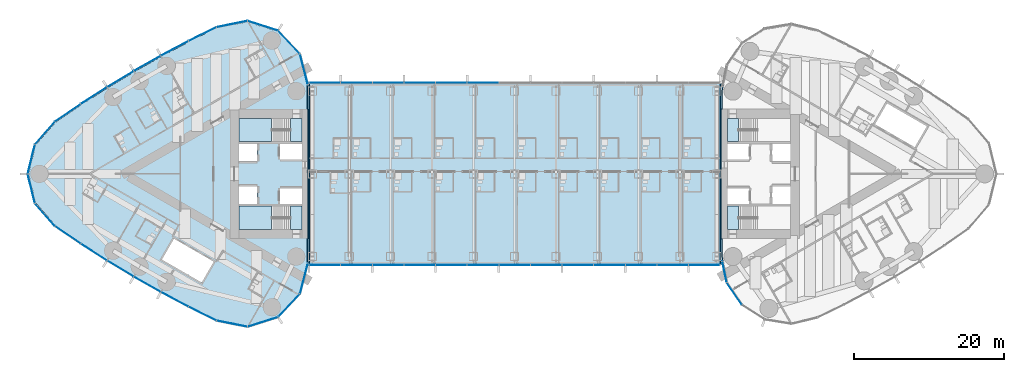
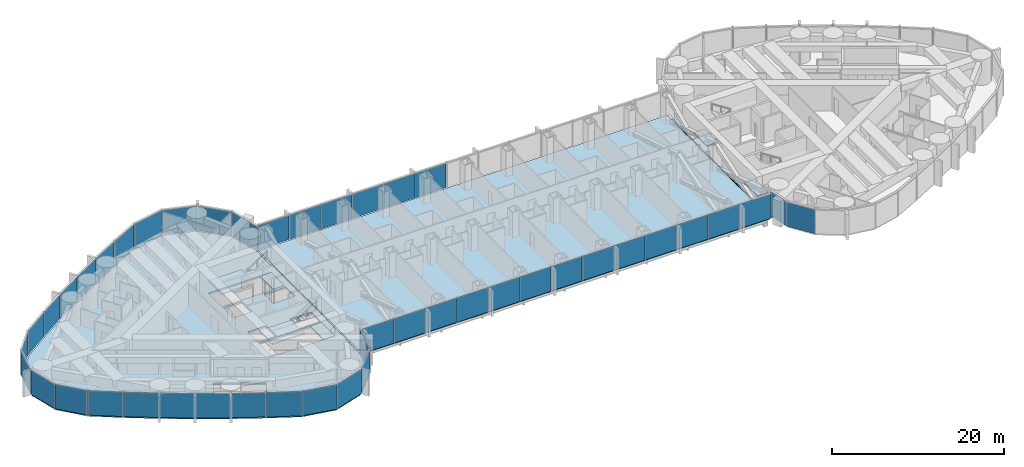
# One storey, part 12 of 23: 47 plates, 8 slabs, 8 elements without a shape of their own.
"""IFC4 building model written with IfcOpenShell, lengths in metres."""

import ifcopenshell
import ifcopenshell.guid

model = None  # the IFC model being written
_history = None  # IfcOwnerHistory: only IFC2X3 demands one
_inside = {}  # id of a spatial element -> (the spatial element, [elements in it])
_under = {}  # id of a project, library or spatial element -> (it, [spatial elements below it])
_declared = {}  # id of a project -> (the project, [libraries it declares])
_typed = {}  # id of a type object -> (the type object, [elements of that type])
_made_of = {}  # id of a material, layer set ... -> (it, [elements and type objects made of it])


def new_model(schema):
    """Start an empty IFC model of exactly this schema.

    Asked for "IFC4X3", IfcOpenShell would pick the latest addendum, in which some entities
    have other attributes; the version numbers below select the first issue.
    IFC2X3 requires an IfcOwnerHistory on every rooted entity: one is made here for all.
    """
    global model, _history
    if schema == "IFC4X3":
        model = ifcopenshell.file(schema_version=(4, 3, 0, 0))
    else:
        model = ifcopenshell.file(schema=schema)
    _inside.clear()
    _under.clear()
    _declared.clear()
    _typed.clear()
    _made_of.clear()
    _history = None
    if model.schema == "IFC2X3":
        org = make("IfcOrganization", Name="unknown")
        user = make(
            "IfcPersonAndOrganization",
            ThePerson=make("IfcPerson", FamilyName="unknown"),
            TheOrganization=org,
        )
        app = make(
            "IfcApplication",
            ApplicationDeveloper=org,
            Version="unknown",
            ApplicationFullName="unknown",
            ApplicationIdentifier="unknown",
        )
        _history = make(
            "IfcOwnerHistory",
            OwningUser=user,
            OwningApplication=app,
            ChangeAction="ADDED",
            CreationDate=0,
        )
    return model


def make(cls, **values):
    """One entity of the class cls with the attributes given. An attribute that is None is left unset."""
    return model.create_entity(
        cls, **{name: value for name, value in values.items() if value is not None}
    )


def rooted(cls, **values):
    """An entity with a GlobalId (a new one), such as an element, a storey or a relation."""
    return make(cls, GlobalId=ifcopenshell.guid.new(), OwnerHistory=_history, **values)


def si_unit(unit_type, name, prefix=None):
    """IfcSIUnit, for example si_unit("LENGTHUNIT", "METRE", prefix="MILLI")."""
    return make("IfcSIUnit", UnitType=unit_type, Prefix=prefix, Name=name)


def assignment(units):
    """IfcUnitAssignment: the units of a project."""
    return None if units is None else make("IfcUnitAssignment", Units=units)


def point(xyz):
    """IfcCartesianPoint."""
    return None if xyz is None else make("IfcCartesianPoint", Coordinates=xyz)


def direction(xyz):
    """IfcDirection."""
    return None if xyz is None else make("IfcDirection", DirectionRatios=xyz)


def frame(location, z_axis=None, x_axis=None):
    """IfcAxis2Placement3D, a coordinate frame: its origin and axes. An axis left out is left unset."""
    return make(
        "IfcAxis2Placement3D",
        Location=point(location),
        Axis=direction(z_axis),
        RefDirection=direction(x_axis),
    )


def frame_2d(location, x_axis=None):
    """IfcAxis2Placement2D, a coordinate frame in the plane: its origin and x axis."""
    return make(
        "IfcAxis2Placement2D", Location=point(location), RefDirection=direction(x_axis)
    )


def origin():
    """The frame at (0, 0, 0) with its axes left unset."""
    return frame((0.0, 0.0, 0.0))


def origin_2d():
    """The frame at (0, 0) in the plane with its x axis left unset."""
    return frame_2d((0.0, 0.0))


def place(relative_to, where):
    """IfcLocalPlacement: puts the frame where relative to a parent placement (None: the world)."""
    return make(
        "IfcLocalPlacement", PlacementRelTo=relative_to, RelativePlacement=where
    )


def context(
    kind, dimensions, precision=None, world=None, true_north=None, identifier=None
):
    """IfcGeometricRepresentationContext, for example the 3D "Model" context."""
    return make(
        "IfcGeometricRepresentationContext",
        ContextIdentifier=identifier,
        ContextType=kind,
        CoordinateSpaceDimension=dimensions,
        Precision=precision,
        WorldCoordinateSystem=world,
        TrueNorth=true_north,
    )


def subcontext(parent, identifier, kind, view, scale=None):
    """IfcGeometricRepresentationSubContext, for example "Body" below "Model"."""
    return make(
        "IfcGeometricRepresentationSubContext",
        ContextIdentifier=identifier,
        ContextType=kind,
        ParentContext=parent,
        TargetScale=scale,
        TargetView=view,
    )


def project(units=None, contexts=None):
    """IfcProject with its units and contexts."""
    return rooted(
        "IfcProject",
        Name="project",
        RepresentationContexts=contexts,
        UnitsInContext=assignment(units),
    )


def spatial(cls, under=None, at=None, **own):
    """A site, building, storey or space (cls), placed at a placement, below another one or the project."""
    s = rooted(cls, ObjectPlacement=at, **own)
    if under is not None:
        _under.setdefault(under.id(), (under, []))[1].append(s)
    return s


def polyline(points):
    """IfcPolyline through the points."""
    return make("IfcPolyline", Points=[point(p) for p in points])


def profile(cls, at=None, kind="AREA", **sizes):
    """A parametric profile (cls). Its sizes go by their IFC names, for example OverallWidth=200.0."""
    return make(cls, ProfileType=kind, Position=at, **sizes)


def rectangle(**sizes):
    """IfcRectangleProfileDef."""
    return profile("IfcRectangleProfileDef", **sizes)


def outline(outer, holes=None, kind="AREA"):
    """IfcArbitraryClosedProfileDef: a profile drawn as a closed curve; with holes, ...WithVoids."""
    if holes is None:
        return make("IfcArbitraryClosedProfileDef", ProfileType=kind, OuterCurve=outer)
    return make(
        "IfcArbitraryProfileDefWithVoids",
        ProfileType=kind,
        OuterCurve=outer,
        InnerCurves=holes,
    )


def extrude(swept, where, along, depth):
    """IfcExtrudedAreaSolid: the profile swept, set in the frame where, extruded along a direction by depth."""
    return make(
        "IfcExtrudedAreaSolid",
        SweptArea=swept,
        Position=where,
        ExtrudedDirection=direction(along),
        Depth=depth,
    )


def shape(context_of_items, identifier, shape_type, items):
    """IfcShapeRepresentation: the items that make up one representation, for example the "Body"."""
    return make(
        "IfcShapeRepresentation",
        ContextOfItems=context_of_items,
        RepresentationIdentifier=identifier,
        RepresentationType=shape_type,
        Items=items,
    )


def material(Name=None, Category=None):
    """IfcMaterial."""
    return make("IfcMaterial", Name=Name, Category=Category)


def layer(
    of_material, thickness, ventilated=None, Name=None, Category=None, Priority=None
):
    """IfcMaterialLayer: one layer of a wall or slab, of a material (None: an air gap)."""
    return make(
        "IfcMaterialLayer",
        Material=of_material,
        LayerThickness=thickness,
        IsVentilated=ventilated,
        Name=Name,
        Category=Category,
        Priority=Priority,
    )


def layer_set(layers, Name=None):
    """IfcMaterialLayerSet."""
    return make("IfcMaterialLayerSet", MaterialLayers=layers, LayerSetName=Name)


def made_of(thing, what):
    """Note that an element or type object is made of a material, layer set ...; save() writes the relation."""
    if what is not None:
        _made_of.setdefault(what.id(), (what, []))[1].append(thing)
    return thing


def type_object(cls, material=None, **own):
    """A type object (cls), such as IfcWallType, which elements share."""
    return made_of(rooted(cls, **own), material)


def element(
    cls,
    number,
    at=None,
    inside=None,
    cuts=None,
    type_object=None,
    material=None,
    context=None,
    identifier="Body",
    shape_type=None,
    held_by="IfcProductDefinitionShape",
    body=None,
    shapes=None,
    **own,
):
    """One element of the class cls, such as IfcWall. Its Tag is "e" and its number.

    at: its placement. inside: the storey or other place that contains it. cuts: it is an
    opening in that element (IfcRelVoidsElement). A single representation is given by context,
    identifier, shape_type and body (its items); several are given by shapes. held_by: the class
    of the entity that holds the representations. save() writes the other relations.
    """
    e = rooted(cls, Tag="e%d" % number, ObjectPlacement=at, **own)
    if body is not None:
        shapes = [shape(context, identifier, shape_type, body)]
    if shapes is not None:
        e.Representation = make(held_by, Representations=shapes)
    if inside is not None:
        _inside.setdefault(inside.id(), (inside, []))[1].append(e)
    if cuts is not None:
        rooted(
            "IfcRelVoidsElement", RelatingBuildingElement=cuts, RelatedOpeningElement=e
        )
    if type_object is not None:
        _typed.setdefault(type_object.id(), (type_object, []))[1].append(e)
    return made_of(e, material)


def aggregate(whole, parts):
    """IfcRelAggregates: a whole, such as a stair, and the parts it consists of."""
    return rooted("IfcRelAggregates", RelatingObject=whole, RelatedObjects=parts)


def save(model, path):
    """Write the relations noted so far, then the file.

    IfcRelAggregates (storeys below a building ...), IfcRelContainedInSpatialStructure (elements
    in a storey), IfcRelDefinesByType, IfcRelAssociatesMaterial and IfcRelDeclares: one each for
    every whole, place, type object, material and project.
    """
    for whole, parts in _under.values():
        aggregate(whole, parts)
    for where, things in _inside.values():
        rooted(
            "IfcRelContainedInSpatialStructure",
            RelatedElements=things,
            RelatingStructure=where,
        )
    for kind, things in _typed.values():
        rooted("IfcRelDefinesByType", RelatedObjects=things, RelatingType=kind)
    for what, things in _made_of.values():
        rooted("IfcRelAssociatesMaterial", RelatedObjects=things, RelatingMaterial=what)
    for by, libraries in _declared.values():
        rooted("IfcRelDeclares", RelatingContext=by, RelatedDefinitions=libraries)
    model.write(path)


model = new_model("IFC4")

# Units and contexts
model_context = context("Model", 3, precision=1e-05, world=origin(), true_north=direction((0.0, 1.0)))
body_context = subcontext(model_context, "Body", "Model", "MODEL_VIEW")
ifc_project = project(units=[si_unit("LENGTHUNIT", "METRE"), si_unit("AREAUNIT", "SQUARE_METRE"), si_unit("VOLUMEUNIT", "CUBIC_METRE"), si_unit("PLANEANGLEUNIT", "RADIAN"), si_unit("MASSUNIT", "GRAM", prefix="KILO")], contexts=[model_context])

# Site, building, storey
site_placement = place(None, origin())
site = spatial("IfcSite", under=ifc_project, at=site_placement, CompositionType="ELEMENT")
building_placement = place(site_placement, origin())
building = spatial("IfcBuilding", under=site, at=building_placement, Name="Lancet Gate Hotel", CompositionType="ELEMENT")
storey_placement = place(building_placement, frame((0.0, 0.0, 215.300048828125)))
storey = spatial("IfcBuildingStorey", under=building, at=storey_placement, Name="L57", CompositionType="ELEMENT", Elevation=215.300048828125)

# Curtain wall, plates
ifc_material_1 = material(Name="Aluminium curtain wall", Category="aluminium")
curtain_wall_type_1 = type_object("IfcCurtainWallType", Name="Bridge block curtain wall", PredefinedType="USERDEFINED", material=ifc_material_1)
curtain_wall_1_placement = place(storey_placement, origin())
curtain_wall_1 = element("IfcCurtainWall", 1, at=curtain_wall_1_placement, inside=storey, type_object=curtain_wall_type_1, Name="Bridge block L57 curtain wall S", ObjectType="UNITISED CURTAIN WALL", PredefinedType="USERDEFINED")
ifc_material_2 = material(Name="Glass double glazed unit 8-16-6", Category="glass")
ifc_layer_1 = layer(ifc_material_2, 0.030029296875)
ifc_layer_set_1 = layer_set([ifc_layer_1], Name="Block vision panel")
plate_type_1 = type_object("IfcPlateType", Name="Block vision panel", PredefinedType="CURTAIN_PANEL", material=ifc_layer_set_1)
plate_1_placement = place(storey_placement, frame((-25.24609375, -12.1201171875, 0.0), z_axis=(0.0, 0.0, 1.0), x_axis=(1.0, 0.0, 0.0)))
plate_1 = element("IfcPlate", 2, at=plate_1_placement, type_object=plate_type_1, Name="Bridge block L57 curtain wall S panel 1", PredefinedType="CURTAIN_PANEL", context=body_context, shape_type="SweptSolid", body=[
    extrude(rectangle(XDim=4.142578125, YDim=0.030029296875, at=origin_2d()), origin(), (0.0, 0.0, 1.0), 3.449951171875),
])
plate_2_placement = place(storey_placement, frame((-21.03857421875, -12.1201171875, 0.0), z_axis=(0.0, 0.0, 1.0), x_axis=(1.0, 0.0, 0.0)))
plate_2 = element("IfcPlate", 3, at=plate_2_placement, type_object=plate_type_1, Name="Bridge block L57 curtain wall S panel 2", PredefinedType="CURTAIN_PANEL", context=body_context, shape_type="SweptSolid", body=[
    extrude(rectangle(XDim=4.142578125, YDim=0.030029296875, at=origin_2d()), origin(), (0.0, 0.0, 1.0), 3.449951171875),
])
plate_3_placement = place(storey_placement, frame((-16.830810546875, -12.1201171875, 0.0), z_axis=(0.0, 0.0, 1.0), x_axis=(1.0, 0.0, 0.0)))
plate_3 = element("IfcPlate", 4, at=plate_3_placement, type_object=plate_type_1, Name="Bridge block L57 curtain wall S panel 3", PredefinedType="CURTAIN_PANEL", context=body_context, shape_type="SweptSolid", body=[
    extrude(rectangle(XDim=4.142578125, YDim=0.030029296875, at=origin_2d()), origin(), (0.0, 0.0, 1.0), 3.449951171875),
])
plate_4_placement = place(storey_placement, frame((-12.623046875, -12.1201171875, 0.0), z_axis=(0.0, 0.0, 1.0), x_axis=(1.0, 0.0, 0.0)))
plate_4 = element("IfcPlate", 5, at=plate_4_placement, type_object=plate_type_1, Name="Bridge block L57 curtain wall S panel 4", PredefinedType="CURTAIN_PANEL", context=body_context, shape_type="SweptSolid", body=[
    extrude(rectangle(XDim=4.142578125, YDim=0.030029296875, at=origin_2d()), origin(), (0.0, 0.0, 1.0), 3.449951171875),
])
plate_5_placement = place(storey_placement, frame((-8.415283203125, -12.1201171875, 0.0), z_axis=(0.0, 0.0, 1.0), x_axis=(1.0, 0.0, 0.0)))
plate_5 = element("IfcPlate", 6, at=plate_5_placement, type_object=plate_type_1, Name="Bridge block L57 curtain wall S panel 5", PredefinedType="CURTAIN_PANEL", context=body_context, shape_type="SweptSolid", body=[
    extrude(rectangle(XDim=4.142578125, YDim=0.030029296875, at=origin_2d()), origin(), (0.0, 0.0, 1.0), 3.449951171875),
])
plate_6_placement = place(storey_placement, frame((-4.207763671875, -12.1201171875, 0.0), z_axis=(0.0, 0.0, 1.0), x_axis=(1.0, 0.0, 0.0)))
plate_6 = element("IfcPlate", 7, at=plate_6_placement, type_object=plate_type_1, Name="Bridge block L57 curtain wall S panel 6", PredefinedType="CURTAIN_PANEL", context=body_context, shape_type="SweptSolid", body=[
    extrude(rectangle(XDim=4.142578125, YDim=0.030029296875, at=origin_2d()), origin(), (0.0, 0.0, 1.0), 3.449951171875),
])
plate_7_placement = place(storey_placement, frame((0.0, -12.1201171875, 0.0), z_axis=(0.0, 0.0, 1.0), x_axis=(1.0, 0.0, 0.0)))
plate_7 = element("IfcPlate", 8, at=plate_7_placement, type_object=plate_type_1, Name="Bridge block L57 curtain wall S panel 7", PredefinedType="CURTAIN_PANEL", context=body_context, shape_type="SweptSolid", body=[
    extrude(rectangle(XDim=4.142578125, YDim=0.030029296875, at=origin_2d()), origin(), (0.0, 0.0, 1.0), 3.449951171875),
])
plate_8_placement = place(storey_placement, frame((4.207763671875, -12.1201171875, 0.0), z_axis=(0.0, 0.0, 1.0), x_axis=(1.0, 0.0, 0.0)))
plate_8 = element("IfcPlate", 9, at=plate_8_placement, type_object=plate_type_1, Name="Bridge block L57 curtain wall S panel 8", PredefinedType="CURTAIN_PANEL", context=body_context, shape_type="SweptSolid", body=[
    extrude(rectangle(XDim=4.142578125, YDim=0.030029296875, at=origin_2d()), origin(), (0.0, 0.0, 1.0), 3.449951171875),
])
plate_9_placement = place(storey_placement, frame((8.415283203125, -12.1201171875, 0.0), z_axis=(0.0, 0.0, 1.0), x_axis=(1.0, 0.0, 0.0)))
plate_9 = element("IfcPlate", 10, at=plate_9_placement, type_object=plate_type_1, Name="Bridge block L57 curtain wall S panel 9", PredefinedType="CURTAIN_PANEL", context=body_context, shape_type="SweptSolid", body=[
    extrude(rectangle(XDim=4.142578125, YDim=0.030029296875, at=origin_2d()), origin(), (0.0, 0.0, 1.0), 3.449951171875),
])
plate_10_placement = place(storey_placement, frame((12.623046875, -12.1201171875, 0.0), z_axis=(0.0, 0.0, 1.0), x_axis=(1.0, 0.0, 0.0)))
plate_10 = element("IfcPlate", 11, at=plate_10_placement, type_object=plate_type_1, Name="Bridge block L57 curtain wall S panel 10", PredefinedType="CURTAIN_PANEL", context=body_context, shape_type="SweptSolid", body=[
    extrude(rectangle(XDim=4.142578125, YDim=0.030029296875, at=origin_2d()), origin(), (0.0, 0.0, 1.0), 3.449951171875),
])
plate_11_placement = place(storey_placement, frame((16.830810546875, -12.1201171875, 0.0), z_axis=(0.0, 0.0, 1.0), x_axis=(1.0, 0.0, 0.0)))
plate_11 = element("IfcPlate", 12, at=plate_11_placement, type_object=plate_type_1, Name="Bridge block L57 curtain wall S panel 11", PredefinedType="CURTAIN_PANEL", context=body_context, shape_type="SweptSolid", body=[
    extrude(rectangle(XDim=4.142578125, YDim=0.030029296875, at=origin_2d()), origin(), (0.0, 0.0, 1.0), 3.449951171875),
])
plate_12_placement = place(storey_placement, frame((21.03857421875, -12.1201171875, 0.0), z_axis=(0.0, 0.0, 1.0), x_axis=(1.0, 0.0, 0.0)))
plate_12 = element("IfcPlate", 13, at=plate_12_placement, type_object=plate_type_1, Name="Bridge block L57 curtain wall S panel 12", PredefinedType="CURTAIN_PANEL", context=body_context, shape_type="SweptSolid", body=[
    extrude(rectangle(XDim=4.142578125, YDim=0.030029296875, at=origin_2d()), origin(), (0.0, 0.0, 1.0), 3.449951171875),
])
plate_13_placement = place(storey_placement, frame((25.24609375, -12.1201171875, 0.0), z_axis=(0.0, 0.0, 1.0), x_axis=(1.0, 0.0, 0.0)))
plate_13 = element("IfcPlate", 14, at=plate_13_placement, type_object=plate_type_1, Name="Bridge block L57 curtain wall S panel 13", PredefinedType="CURTAIN_PANEL", context=body_context, shape_type="SweptSolid", body=[
    extrude(rectangle(XDim=4.142578125, YDim=0.030029296875, at=origin_2d()), origin(), (0.0, 0.0, 1.0), 3.449951171875),
])
aggregate(curtain_wall_1, [plate_1, plate_2, plate_3, plate_4, plate_5, plate_6, plate_7, plate_8, plate_9, plate_10, plate_11, plate_12, plate_13])

curtain_wall_2_placement = place(storey_placement, origin())
curtain_wall_2 = element("IfcCurtainWall", 15, at=curtain_wall_2_placement, inside=storey, type_object=curtain_wall_type_1, Name="Bridge block L57 curtain wall N", ObjectType="UNITISED CURTAIN WALL", PredefinedType="USERDEFINED")
plate_14_placement = place(storey_placement, frame((-4.207763671875, 12.1201171875, 0.0), z_axis=(0.0, 0.0, 1.0), x_axis=(-1.0, 0.0, 0.0)))
plate_14 = element("IfcPlate", 16, at=plate_14_placement, type_object=plate_type_1, Name="Bridge block L57 curtain wall N panel 8", PredefinedType="CURTAIN_PANEL", context=body_context, shape_type="SweptSolid", body=[
    extrude(rectangle(XDim=4.142578125, YDim=0.030029296875, at=origin_2d()), origin(), (0.0, 0.0, 1.0), 3.449951171875),
])
plate_15_placement = place(storey_placement, frame((-8.415283203125, 12.1201171875, 0.0), z_axis=(0.0, 0.0, 1.0), x_axis=(-1.0, 0.0, 0.0)))
plate_15 = element("IfcPlate", 17, at=plate_15_placement, type_object=plate_type_1, Name="Bridge block L57 curtain wall N panel 9", PredefinedType="CURTAIN_PANEL", context=body_context, shape_type="SweptSolid", body=[
    extrude(rectangle(XDim=4.142578125, YDim=0.030029296875, at=origin_2d()), origin(), (0.0, 0.0, 1.0), 3.449951171875),
])
plate_16_placement = place(storey_placement, frame((-12.623046875, 12.1201171875, 0.0), z_axis=(0.0, 0.0, 1.0), x_axis=(-1.0, 0.0, 0.0)))
plate_16 = element("IfcPlate", 18, at=plate_16_placement, type_object=plate_type_1, Name="Bridge block L57 curtain wall N panel 10", PredefinedType="CURTAIN_PANEL", context=body_context, shape_type="SweptSolid", body=[
    extrude(rectangle(XDim=4.142578125, YDim=0.030029296875, at=origin_2d()), origin(), (0.0, 0.0, 1.0), 3.449951171875),
])
plate_17_placement = place(storey_placement, frame((-16.830810546875, 12.1201171875, 0.0), z_axis=(0.0, 0.0, 1.0), x_axis=(-1.0, 0.0, 0.0)))
plate_17 = element("IfcPlate", 19, at=plate_17_placement, type_object=plate_type_1, Name="Bridge block L57 curtain wall N panel 11", PredefinedType="CURTAIN_PANEL", context=body_context, shape_type="SweptSolid", body=[
    extrude(rectangle(XDim=4.142578125, YDim=0.030029296875, at=origin_2d()), origin(), (0.0, 0.0, 1.0), 3.449951171875),
])
plate_18_placement = place(storey_placement, frame((-21.03857421875, 12.1201171875, 0.0), z_axis=(0.0, 0.0, 1.0), x_axis=(-1.0, 0.0, 0.0)))
plate_18 = element("IfcPlate", 20, at=plate_18_placement, type_object=plate_type_1, Name="Bridge block L57 curtain wall N panel 12", PredefinedType="CURTAIN_PANEL", context=body_context, shape_type="SweptSolid", body=[
    extrude(rectangle(XDim=4.142578125, YDim=0.030029296875, at=origin_2d()), origin(), (0.0, 0.0, 1.0), 3.449951171875),
])
plate_19_placement = place(storey_placement, frame((-25.24609375, 12.1201171875, 0.0), z_axis=(0.0, 0.0, 1.0), x_axis=(-1.0, 0.0, 0.0)))
plate_19 = element("IfcPlate", 21, at=plate_19_placement, type_object=plate_type_1, Name="Bridge block L57 curtain wall N panel 13", PredefinedType="CURTAIN_PANEL", context=body_context, shape_type="SweptSolid", body=[
    extrude(rectangle(XDim=4.142578125, YDim=0.030029296875, at=origin_2d()), origin(), (0.0, 0.0, 1.0), 3.449951171875),
])
aggregate(curtain_wall_2, [plate_14, plate_15, plate_16, plate_17, plate_18, plate_19])

# Slabs
ifc_material_3 = material(Name="Concrete C40/50", Category="concrete")
ifc_layer_2 = layer(ifc_material_3, 0.199951171875)
ifc_layer_set_2 = layer_set([ifc_layer_2], Name="Composite floor slab 200")
slab_type_1 = type_object("IfcSlabType", Name="Composite floor slab 200", PredefinedType="FLOOR", material=ifc_layer_set_2)
slab_1_placement = place(storey_placement, frame((0.0, 0.0, -0.199951171875)))
element("IfcSlab", 22, at=slab_1_placement, inside=storey, type_object=slab_type_1, Name="Bridge block L57 floor slab", PredefinedType="FLOOR", context=body_context, shape_type="SweptSolid", body=[
    extrude(outline(polyline([(27.35009765625, -12.0), (27.35009765625, 12.0), (-27.35009765625, 12.0), (-27.35009765625, -12.0), (27.35009765625, -12.0)])), origin(), (0.0, 0.0, 1.0), 0.199951171875),
])
ifc_material_4 = material(Name="Concrete C50/60", Category="concrete")
ifc_layer_3 = layer(ifc_material_4, 0.25)
ifc_layer_set_3 = layer_set([ifc_layer_3], Name="Floor slab 250")
slab_type_2 = type_object("IfcSlabType", Name="Floor slab 250", PredefinedType="FLOOR", material=ifc_layer_set_3)
slab_2_placement = place(storey_placement, frame((0.0, 0.0, -0.25)))
element("IfcSlab", 23, at=slab_2_placement, inside=storey, type_object=slab_type_2, Name="T1 L57 floor slab", PredefinedType="FLOOR", context=body_context, shape_type="SweptSolid", body=[
    extrude(outline(polyline([(-27.5, 8.60009765625), (-27.6201171875, 8.60009765625), (-27.6201171875, 11.84619140625), (-28.668701171875, 15.912353515625), (-31.542236328125, 18.95263671875), (-35.52783203125, 20.22412109375), (-39.645751953125, 19.40673828125), (-43.344482421875, 17.565673828125), (-47.005126953125, 15.618896484375), (-50.61181640625, 13.574462890625), (-54.162353515625, 11.43359375), (-57.654052734375, 9.197998046875), (-61.072998046875, 6.876708984375), (-63.71240234375, 3.871337890625), (-64.66064453125, 0.0), (-63.71240234375, -3.871337890625), (-61.072998046875, -6.876708984375), (-57.654052734375, -9.197998046875), (-54.162353515625, -11.43359375), (-50.61181640625, -13.574462890625), (-47.005126953125, -15.618896484375), (-43.344482421875, -17.565673828125), (-39.645751953125, -19.40673828125), (-35.52783203125, -20.22412109375), (-31.542236328125, -18.95263671875), (-28.668701171875, -15.912353515625), (-27.6201171875, -11.84619140625), (-27.6201171875, -8.60009765625), (-27.5, -8.60009765625), (-27.5, -8.199951171875), (-27.5, 8.199951171875), (-27.5, 8.60009765625)]), holes=[polyline([(-36.699951171875, 7.39990234375), (-36.699951171875, 4.300048828125), (-28.300048828125, 4.300048828125), (-28.300048828125, 7.39990234375), (-36.699951171875, 7.39990234375)]), polyline([(-28.300048828125, 4.0), (-31.199951171875, 4.0), (-31.199951171875, 1.89990234375), (-28.300048828125, 1.89990234375), (-28.300048828125, 4.0)]), polyline([(-34.25, 4.0), (-36.699951171875, 4.0), (-36.699951171875, 1.64990234375), (-34.25, 1.64990234375), (-34.25, 4.0)]), polyline([(-36.699951171875, -1.64990234375), (-36.699951171875, -4.0), (-34.25, -4.0), (-34.25, -1.64990234375), (-36.699951171875, -1.64990234375)]), polyline([(-28.300048828125, -1.89990234375), (-31.199951171875, -1.89990234375), (-31.199951171875, -4.0), (-28.300048828125, -4.0), (-28.300048828125, -1.89990234375)]), polyline([(-28.300048828125, -4.300048828125), (-36.699951171875, -4.300048828125), (-36.699951171875, -7.39990234375), (-28.300048828125, -7.39990234375), (-28.300048828125, -4.300048828125)]), polyline([(-45.319091796875, -8.631103515625), (-46.9189453125, -11.402099609375), (-41.635986328125, -14.451904296875), (-40.035888671875, -11.680908203125), (-45.319091796875, -8.631103515625)])]), origin(), (0.0, 0.0, 1.0), 0.25),
])

# Plates
ifc_material_5 = material(Name="Aluminium chequer plate", Category="aluminium")
ifc_layer_4 = layer(ifc_material_5, 0.014892578125)
ifc_layer_set_4 = layer_set([ifc_layer_4], Name="Movement joint cover plate 15")
plate_type_2 = type_object("IfcPlateType", Name="Movement joint cover plate 15", PredefinedType="SHEET", material=ifc_layer_set_4)
plate_20_placement = place(storey_placement, frame((0.0, 0.0, -0.01513671875)))
element("IfcPlate", 24, at=plate_20_placement, inside=storey, type_object=plate_type_2, Name="Movement joint cover plate T1 L57", PredefinedType="SHEET", context=body_context, shape_type="SweptSolid", body=[
    extrude(outline(polyline([(-27.35009765625, 12.0), (-27.65966796875, 12.0), (-27.6201171875, 11.84619140625), (-27.6201171875, 8.60009765625), (-27.5, 8.60009765625), (-27.5, 8.199951171875), (-27.5, -8.199951171875), (-27.5, -8.60009765625), (-27.6201171875, -8.60009765625), (-27.6201171875, -11.84619140625), (-27.65966796875, -12.0), (-27.35009765625, -12.0), (-27.35009765625, 12.0)])), origin(), (0.0, 0.0, 1.0), 0.01513671875),
])
plate_21_placement = place(storey_placement, frame((0.0, 0.0, -0.01513671875)))
element("IfcPlate", 25, at=plate_21_placement, inside=storey, type_object=plate_type_2, Name="Movement joint cover plate T2 L57", PredefinedType="SHEET", context=body_context, shape_type="SweptSolid", body=[
    extrude(outline(polyline([(27.35009765625, -12.0), (27.836669921875, -12.0), (27.6201171875, -10.93603515625), (27.6201171875, -8.60009765625), (27.5, -8.60009765625), (27.5, -8.199951171875), (27.5, 8.199951171875), (27.5, 8.60009765625), (27.6201171875, 8.60009765625), (27.6201171875, 10.93603515625), (27.836669921875, 12.0), (27.35009765625, 12.0), (27.35009765625, -12.0)])), origin(), (0.0, 0.0, 1.0), 0.01513671875),
])

# Stair, slabs
ifc_material_6 = material(Name="Exit stair 20 risers 1500")
stair_type = type_object("IfcStairType", Name="Exit stair 20 risers 1500", PredefinedType="HALF_TURN_STAIR", material=ifc_material_6)
stair_1_placement = place(storey_placement, origin())
stair_1 = element("IfcStair", 26, at=stair_1_placement, inside=storey, type_object=stair_type, Name="T1 stair 1 L57", PredefinedType="HALF_TURN_STAIR")
ifc_material_7 = material(Name="Concrete C40/50", Category="concrete")
ifc_layer_5 = layer(ifc_material_7, 0.199951171875)
ifc_layer_set_5 = layer_set([ifc_layer_5], Name="Stair landing 200")
slab_type_3 = type_object("IfcSlabType", Name="Stair landing 200", PredefinedType="LANDING", material=ifc_layer_set_5)
slab_3_placement = place(storey_placement, frame((0.0, 0.0, -0.199951171875)))
slab_3 = element("IfcSlab", 27, at=slab_3_placement, type_object=slab_type_3, Name="ST1 landing 1", PredefinedType="LANDING", context=body_context, shape_type="SweptSolid", body=[
    extrude(outline(polyline([(-28.300048828125, 7.39990234375), (-29.800048828125, 7.39990234375), (-29.800048828125, 4.300048828125), (-28.300048828125, 4.300048828125), (-28.300048828125, 7.39990234375)])), origin(), (0.0, 0.0, 1.0), 0.199951171875),
])
slab_4_placement = place(storey_placement, frame((0.0, 0.0, 1.599853515625)))
slab_4 = element("IfcSlab", 28, at=slab_4_placement, type_object=slab_type_3, Name="ST1 landing 2", PredefinedType="LANDING", context=body_context, shape_type="SweptSolid", body=[
    extrude(outline(polyline([(-32.320068359375, 7.39990234375), (-36.699951171875, 7.39990234375), (-36.699951171875, 4.300048828125), (-32.320068359375, 4.300048828125), (-32.320068359375, 7.39990234375)])), origin(), (0.0, 0.0, 1.0), 0.2001953125),
])
aggregate(stair_1, [slab_3, slab_4])

stair_2_placement = place(storey_placement, origin())
stair_2 = element("IfcStair", 29, at=stair_2_placement, inside=storey, type_object=stair_type, Name="T1 stair 2 L57", PredefinedType="HALF_TURN_STAIR")
slab_5_placement = place(storey_placement, frame((0.0, 0.0, -0.199951171875)))
slab_5 = element("IfcSlab", 30, at=slab_5_placement, type_object=slab_type_3, Name="ST2 landing 1", PredefinedType="LANDING", context=body_context, shape_type="SweptSolid", body=[
    extrude(outline(polyline([(-28.300048828125, -4.300048828125), (-29.800048828125, -4.300048828125), (-29.800048828125, -7.39990234375), (-28.300048828125, -7.39990234375), (-28.300048828125, -4.300048828125)])), origin(), (0.0, 0.0, 1.0), 0.199951171875),
])
slab_6_placement = place(storey_placement, frame((0.0, 0.0, 1.599853515625)))
slab_6 = element("IfcSlab", 31, at=slab_6_placement, type_object=slab_type_3, Name="ST2 landing 2", PredefinedType="LANDING", context=body_context, shape_type="SweptSolid", body=[
    extrude(outline(polyline([(-32.320068359375, -4.300048828125), (-36.699951171875, -4.300048828125), (-36.699951171875, -7.39990234375), (-32.320068359375, -7.39990234375), (-32.320068359375, -4.300048828125)])), origin(), (0.0, 0.0, 1.0), 0.2001953125),
])
aggregate(stair_2, [slab_5, slab_6])

# Stair, slab
stair_3_placement = place(storey_placement, origin())
stair_3 = element("IfcStair", 32, at=stair_3_placement, inside=storey, type_object=stair_type, Name="T2 stair 1 L57", PredefinedType="HALF_TURN_STAIR")
slab_7_placement = place(storey_placement, frame((0.0, 0.0, -0.199951171875)))
slab_7 = element("IfcSlab", 33, at=slab_7_placement, type_object=slab_type_3, Name="ST3 landing 1", PredefinedType="LANDING", context=body_context, shape_type="SweptSolid", body=[
    extrude(outline(polyline([(28.300048828125, -7.39990234375), (29.800048828125, -7.39990234375), (29.800048828125, -4.300048828125), (28.300048828125, -4.300048828125), (28.300048828125, -7.39990234375)])), origin(), (0.0, 0.0, 1.0), 0.199951171875),
])
aggregate(stair_3, [slab_7])

stair_4_placement = place(storey_placement, origin())
stair_4 = element("IfcStair", 34, at=stair_4_placement, inside=storey, type_object=stair_type, Name="T2 stair 2 L57", PredefinedType="HALF_TURN_STAIR")
slab_8_placement = place(storey_placement, frame((0.0, 0.0, -0.199951171875)))
slab_8 = element("IfcSlab", 35, at=slab_8_placement, type_object=slab_type_3, Name="ST4 landing 1", PredefinedType="LANDING", context=body_context, shape_type="SweptSolid", body=[
    extrude(outline(polyline([(28.300048828125, 4.300048828125), (29.800048828125, 4.300048828125), (29.800048828125, 7.39990234375), (28.300048828125, 7.39990234375), (28.300048828125, 4.300048828125)])), origin(), (0.0, 0.0, 1.0), 0.199951171875),
])
aggregate(stair_4, [slab_8])

# Curtain wall, plates
ifc_material_8 = material(Name="Aluminium curtain wall", Category="aluminium")
curtain_wall_type_2 = type_object("IfcCurtainWallType", Name="Tower unitised curtain wall", PredefinedType="USERDEFINED", material=ifc_material_8)
curtain_wall_3_placement = place(storey_placement, origin())
curtain_wall_3 = element("IfcCurtainWall", 36, at=curtain_wall_3_placement, inside=storey, type_object=curtain_wall_type_2, Name="T1 L57 curtain wall 1", ObjectType="UNITISED CURTAIN WALL", PredefinedType="USERDEFINED")
ifc_material_9 = material(Name="Glass double glazed unit 8-16-6", Category="glass")
ifc_layer_6 = layer(ifc_material_9, 0.030029296875)
ifc_layer_set_6 = layer_set([ifc_layer_6], Name="Vision panel double glazed")
plate_type_3 = type_object("IfcPlateType", Name="Vision panel double glazed", PredefinedType="CURTAIN_PANEL", material=ifc_layer_set_6)
plate_22_placement = place(storey_placement, frame((-28.030029296875, 13.9169921875, 0.0), z_axis=(0.0, 0.0, 1.0), x_axis=(-0.249725827997, 0.968316586056, 0.0)))
plate_22 = element("IfcPlate", 37, at=plate_22_placement, type_object=plate_type_3, Name="T1 L57 curtain wall 1 panel 1", PredefinedType="CURTAIN_PANEL", context=body_context, shape_type="SweptSolid", body=[
    extrude(rectangle(XDim=4.180419921875, YDim=0.030029296875, at=origin_2d()), origin(), (0.0, 0.0, 1.0), 3.449951171875),
])
plate_23_placement = place(storey_placement, frame((-30.018310546875, 17.514892578125, 0.0), z_axis=(0.0, 0.0, 1.0), x_axis=(-0.686882887577, 0.726768118972, 0.0)))
plate_23 = element("IfcPlate", 38, at=plate_23_placement, type_object=plate_type_3, Name="T1 L57 curtain wall 1 panel 2", PredefinedType="CURTAIN_PANEL", context=body_context, shape_type="SweptSolid", body=[
    extrude(rectangle(XDim=4.180419921875, YDim=0.030029296875, at=origin_2d()), origin(), (0.0, 0.0, 1.0), 3.449951171875),
])
plate_24_placement = place(storey_placement, frame((-33.49853515625, 19.702880859375, 0.0), z_axis=(0.0, 0.0, 1.0), x_axis=(-0.952695666833, 0.303925922549, 0.0)))
plate_24 = element("IfcPlate", 39, at=plate_24_placement, type_object=plate_type_3, Name="T1 L57 curtain wall 1 panel 3", PredefinedType="CURTAIN_PANEL", context=body_context, shape_type="SweptSolid", body=[
    extrude(rectangle(XDim=4.180419921875, YDim=0.030029296875, at=origin_2d()), origin(), (0.0, 0.0, 1.0), 3.449951171875),
])
plate_25_placement = place(storey_placement, frame((-37.602783203125, 19.9345703125, 0.0), z_axis=(0.0, 0.0, 1.0), x_axis=(-0.980856647866, -0.194731189942, 0.0)))
plate_25 = element("IfcPlate", 40, at=plate_25_placement, type_object=plate_type_3, Name="T1 L57 curtain wall 1 panel 4", PredefinedType="CURTAIN_PANEL", context=body_context, shape_type="SweptSolid", body=[
    extrude(rectangle(XDim=4.180419921875, YDim=0.030029296875, at=origin_2d()), origin(), (0.0, 0.0, 1.0), 3.449951171875),
])
plate_26_placement = place(storey_placement, frame((-41.5419921875, 18.5966796875, 0.0), z_axis=(0.0, 0.0, 1.0), x_axis=(-0.895234030262, -0.445596264639, 0.0)))
plate_26 = element("IfcPlate", 41, at=plate_26_placement, type_object=plate_type_3, Name="T1 L57 curtain wall 1 panel 5", PredefinedType="CURTAIN_PANEL", context=body_context, shape_type="SweptSolid", body=[
    extrude(rectangle(XDim=4.084228515625, YDim=0.030029296875, at=origin_2d()), origin(), (0.0, 0.0, 1.0), 3.449951171875),
])
plate_27_placement = place(storey_placement, frame((-45.23095703125, 16.6982421875, 0.0), z_axis=(0.0, 0.0, 1.0), x_axis=(-0.882915941615, -0.469531085277, 0.0)))
plate_27 = element("IfcPlate", 42, at=plate_27_placement, type_object=plate_type_3, Name="T1 L57 curtain wall 1 panel 6", PredefinedType="CURTAIN_PANEL", context=body_context, shape_type="SweptSolid", body=[
    extrude(rectangle(XDim=4.084228515625, YDim=0.030029296875, at=origin_2d()), origin(), (0.0, 0.0, 1.0), 3.449951171875),
])
plate_28_placement = place(storey_placement, frame((-48.86767578125, 14.701171875, 0.0), z_axis=(0.0, 0.0, 1.0), x_axis=(-0.869958082404, -0.493125678565, 0.0)))
plate_28 = element("IfcPlate", 43, at=plate_28_placement, type_object=plate_type_3, Name="T1 L57 curtain wall 1 panel 7", PredefinedType="CURTAIN_PANEL", context=body_context, shape_type="SweptSolid", body=[
    extrude(rectangle(XDim=4.084228515625, YDim=0.030029296875, at=origin_2d()), origin(), (0.0, 0.0, 1.0), 3.449951171875),
])
plate_29_placement = place(storey_placement, frame((-52.44921875, 12.606689453125, 0.0), z_axis=(0.0, 0.0, 1.0), x_axis=(-0.85636984205, -0.516362947574, 0.0)))
plate_29 = element("IfcPlate", 44, at=plate_29_placement, type_object=plate_type_3, Name="T1 L57 curtain wall 1 panel 8", PredefinedType="CURTAIN_PANEL", context=body_context, shape_type="SweptSolid", body=[
    extrude(rectangle(XDim=4.084228515625, YDim=0.030029296875, at=origin_2d()), origin(), (0.0, 0.0, 1.0), 3.449951171875),
])
plate_30_placement = place(storey_placement, frame((-55.972900390625, 10.416748046875, 0.0), z_axis=(0.0, 0.0, 1.0), x_axis=(-0.842161066725, -0.539226054352, 0.0)))
plate_30 = element("IfcPlate", 45, at=plate_30_placement, type_object=plate_type_3, Name="T1 L57 curtain wall 1 panel 9", PredefinedType="CURTAIN_PANEL", context=body_context, shape_type="SweptSolid", body=[
    extrude(rectangle(XDim=4.084228515625, YDim=0.030029296875, at=origin_2d()), origin(), (0.0, 0.0, 1.0), 3.449951171875),
])
plate_31_placement = place(storey_placement, frame((-59.4365234375, 8.1328125, 0.0), z_axis=(0.0, 0.0, 1.0), x_axis=(-0.827342052281, -0.561698432014, 0.0)))
plate_31 = element("IfcPlate", 46, at=plate_31_placement, type_object=plate_type_3, Name="T1 L57 curtain wall 1 panel 10", PredefinedType="CURTAIN_PANEL", context=body_context, shape_type="SweptSolid", body=[
    extrude(rectangle(XDim=4.084228515625, YDim=0.030029296875, at=origin_2d()), origin(), (0.0, 0.0, 1.0), 3.449951171875),
])
plate_32_placement = place(storey_placement, frame((-62.487548828125, 5.447998046875, 0.0), z_axis=(0.0, 0.0, 1.0), x_axis=(-0.659891635916, -0.751360784742, 0.0)))
plate_32 = element("IfcPlate", 47, at=plate_32_placement, type_object=plate_type_3, Name="T1 L57 curtain wall 1 panel 11", PredefinedType="CURTAIN_PANEL", context=body_context, shape_type="SweptSolid", body=[
    extrude(rectangle(XDim=3.979736328125, YDim=0.030029296875, at=origin_2d()), origin(), (0.0, 0.0, 1.0), 3.449951171875),
])
plate_33_placement = place(storey_placement, frame((-64.30322265625, 1.96435546875, 0.0), z_axis=(0.0, 0.0, 1.0), x_axis=(-0.237921018621, -0.971284504612, 0.0)))
plate_33 = element("IfcPlate", 48, at=plate_33_placement, type_object=plate_type_3, Name="T1 L57 curtain wall 1 panel 12", PredefinedType="CURTAIN_PANEL", context=body_context, shape_type="SweptSolid", body=[
    extrude(rectangle(XDim=3.979736328125, YDim=0.030029296875, at=origin_2d()), origin(), (0.0, 0.0, 1.0), 3.449951171875),
])
plate_34_placement = place(storey_placement, frame((-64.30322265625, -1.96435546875, 0.0), z_axis=(0.0, 0.0, 1.0), x_axis=(0.237921018621, -0.971284504612, 0.0)))
plate_34 = element("IfcPlate", 49, at=plate_34_placement, type_object=plate_type_3, Name="T1 L57 curtain wall 1 panel 13", PredefinedType="CURTAIN_PANEL", context=body_context, shape_type="SweptSolid", body=[
    extrude(rectangle(XDim=3.979736328125, YDim=0.030029296875, at=origin_2d()), origin(), (0.0, 0.0, 1.0), 3.449951171875),
])
plate_35_placement = place(storey_placement, frame((-62.487548828125, -5.447998046875, 0.0), z_axis=(0.0, 0.0, 1.0), x_axis=(0.659891635916, -0.751360784742, 0.0)))
plate_35 = element("IfcPlate", 50, at=plate_35_placement, type_object=plate_type_3, Name="T1 L57 curtain wall 1 panel 14", PredefinedType="CURTAIN_PANEL", context=body_context, shape_type="SweptSolid", body=[
    extrude(rectangle(XDim=3.979736328125, YDim=0.030029296875, at=origin_2d()), origin(), (0.0, 0.0, 1.0), 3.449951171875),
])
plate_36_placement = place(storey_placement, frame((-59.4365234375, -8.1328125, 0.0), z_axis=(0.0, 0.0, 1.0), x_axis=(0.827342052281, -0.561698432014, 0.0)))
plate_36 = element("IfcPlate", 51, at=plate_36_placement, type_object=plate_type_3, Name="T1 L57 curtain wall 1 panel 15", PredefinedType="CURTAIN_PANEL", context=body_context, shape_type="SweptSolid", body=[
    extrude(rectangle(XDim=4.084228515625, YDim=0.030029296875, at=origin_2d()), origin(), (0.0, 0.0, 1.0), 3.449951171875),
])
plate_37_placement = place(storey_placement, frame((-55.972900390625, -10.416748046875, 0.0), z_axis=(0.0, 0.0, 1.0), x_axis=(0.842161066725, -0.539226054352, 0.0)))
plate_37 = element("IfcPlate", 52, at=plate_37_placement, type_object=plate_type_3, Name="T1 L57 curtain wall 1 panel 16", PredefinedType="CURTAIN_PANEL", context=body_context, shape_type="SweptSolid", body=[
    extrude(rectangle(XDim=4.084228515625, YDim=0.030029296875, at=origin_2d()), origin(), (0.0, 0.0, 1.0), 3.449951171875),
])
plate_38_placement = place(storey_placement, frame((-52.44921875, -12.606689453125, 0.0), z_axis=(0.0, 0.0, 1.0), x_axis=(0.85636984205, -0.516362947574, 0.0)))
plate_38 = element("IfcPlate", 53, at=plate_38_placement, type_object=plate_type_3, Name="T1 L57 curtain wall 1 panel 17", PredefinedType="CURTAIN_PANEL", context=body_context, shape_type="SweptSolid", body=[
    extrude(rectangle(XDim=4.084228515625, YDim=0.030029296875, at=origin_2d()), origin(), (0.0, 0.0, 1.0), 3.449951171875),
])
plate_39_placement = place(storey_placement, frame((-48.86767578125, -14.701171875, 0.0), z_axis=(0.0, 0.0, 1.0), x_axis=(0.869958082404, -0.493125678565, 0.0)))
plate_39 = element("IfcPlate", 54, at=plate_39_placement, type_object=plate_type_3, Name="T1 L57 curtain wall 1 panel 18", PredefinedType="CURTAIN_PANEL", context=body_context, shape_type="SweptSolid", body=[
    extrude(rectangle(XDim=4.084228515625, YDim=0.030029296875, at=origin_2d()), origin(), (0.0, 0.0, 1.0), 3.449951171875),
])
plate_40_placement = place(storey_placement, frame((-45.23095703125, -16.6982421875, 0.0), z_axis=(0.0, 0.0, 1.0), x_axis=(0.882915941615, -0.469531085277, 0.0)))
plate_40 = element("IfcPlate", 55, at=plate_40_placement, type_object=plate_type_3, Name="T1 L57 curtain wall 1 panel 19", PredefinedType="CURTAIN_PANEL", context=body_context, shape_type="SweptSolid", body=[
    extrude(rectangle(XDim=4.084228515625, YDim=0.030029296875, at=origin_2d()), origin(), (0.0, 0.0, 1.0), 3.449951171875),
])
plate_41_placement = place(storey_placement, frame((-41.5419921875, -18.5966796875, 0.0), z_axis=(0.0, 0.0, 1.0), x_axis=(0.895234030262, -0.445596264639, 0.0)))
plate_41 = element("IfcPlate", 56, at=plate_41_placement, type_object=plate_type_3, Name="T1 L57 curtain wall 1 panel 20", PredefinedType="CURTAIN_PANEL", context=body_context, shape_type="SweptSolid", body=[
    extrude(rectangle(XDim=4.084228515625, YDim=0.030029296875, at=origin_2d()), origin(), (0.0, 0.0, 1.0), 3.449951171875),
])
plate_42_placement = place(storey_placement, frame((-37.602783203125, -19.9345703125, 0.0), z_axis=(0.0, 0.0, 1.0), x_axis=(0.980856647866, -0.194731189942, 0.0)))
plate_42 = element("IfcPlate", 57, at=plate_42_placement, type_object=plate_type_3, Name="T1 L57 curtain wall 1 panel 21", PredefinedType="CURTAIN_PANEL", context=body_context, shape_type="SweptSolid", body=[
    extrude(rectangle(XDim=4.180419921875, YDim=0.030029296875, at=origin_2d()), origin(), (0.0, 0.0, 1.0), 3.449951171875),
])
plate_43_placement = place(storey_placement, frame((-33.49853515625, -19.702880859375, 0.0), z_axis=(0.0, 0.0, 1.0), x_axis=(0.952695666833, 0.303925922549, 0.0)))
plate_43 = element("IfcPlate", 58, at=plate_43_placement, type_object=plate_type_3, Name="T1 L57 curtain wall 1 panel 22", PredefinedType="CURTAIN_PANEL", context=body_context, shape_type="SweptSolid", body=[
    extrude(rectangle(XDim=4.180419921875, YDim=0.030029296875, at=origin_2d()), origin(), (0.0, 0.0, 1.0), 3.449951171875),
])
plate_44_placement = place(storey_placement, frame((-30.018310546875, -17.514892578125, 0.0), z_axis=(0.0, 0.0, 1.0), x_axis=(0.686882887577, 0.726768118972, 0.0)))
plate_44 = element("IfcPlate", 59, at=plate_44_placement, type_object=plate_type_3, Name="T1 L57 curtain wall 1 panel 23", PredefinedType="CURTAIN_PANEL", context=body_context, shape_type="SweptSolid", body=[
    extrude(rectangle(XDim=4.180419921875, YDim=0.030029296875, at=origin_2d()), origin(), (0.0, 0.0, 1.0), 3.449951171875),
])
plate_45_placement = place(storey_placement, frame((-28.030029296875, -13.9169921875, 0.0), z_axis=(0.0, 0.0, 1.0), x_axis=(0.249725827997, 0.968316586056, 0.0)))
plate_45 = element("IfcPlate", 60, at=plate_45_placement, type_object=plate_type_3, Name="T1 L57 curtain wall 1 panel 24", PredefinedType="CURTAIN_PANEL", context=body_context, shape_type="SweptSolid", body=[
    extrude(rectangle(XDim=4.180419921875, YDim=0.030029296875, at=origin_2d()), origin(), (0.0, 0.0, 1.0), 3.449951171875),
])
aggregate(curtain_wall_3, [plate_22, plate_23, plate_24, plate_25, plate_26, plate_27, plate_28, plate_29, plate_30, plate_31, plate_32, plate_33, plate_34, plate_35, plate_36, plate_37, plate_38, plate_39, plate_40, plate_41, plate_42, plate_43, plate_44, plate_45])

curtain_wall_4_placement = place(storey_placement, origin())
curtain_wall_4 = element("IfcCurtainWall", 61, at=curtain_wall_4_placement, inside=storey, type_object=curtain_wall_type_2, Name="T2 L57 curtain wall 1", ObjectType="UNITISED CURTAIN WALL", PredefinedType="USERDEFINED")
plate_46_placement = place(storey_placement, frame((27.92724609375, -13.046142578125, 0.0), z_axis=(0.0, 0.0, 1.0), x_axis=(0.199533486841, -0.979891008036, 0.0)))
plate_46 = element("IfcPlate", 62, at=plate_46_placement, type_object=plate_type_3, Name="T2 L57 curtain wall 1 panel 1", PredefinedType="CURTAIN_PANEL", context=body_context, shape_type="SweptSolid", body=[
    extrude(rectangle(XDim=2.8359375, YDim=0.030029296875, at=origin_2d()), origin(), (0.0, 0.0, 1.0), 3.449951171875),
])
plate_47_placement = place(storey_placement, frame((29.234619140625, -15.947021484375, 0.0), z_axis=(0.0, 0.0, 1.0), x_axis=(0.566823864908, -0.823839005007, 0.0)))
plate_47 = element("IfcPlate", 63, at=plate_47_placement, type_object=plate_type_3, Name="T2 L57 curtain wall 1 panel 2", PredefinedType="CURTAIN_PANEL", context=body_context, shape_type="SweptSolid", body=[
    extrude(rectangle(XDim=3.526611328125, YDim=0.030029296875, at=origin_2d()), origin(), (0.0, 0.0, 1.0), 3.449951171875),
])
aggregate(curtain_wall_4, [plate_46, plate_47])

save(model, "model.ifc")
